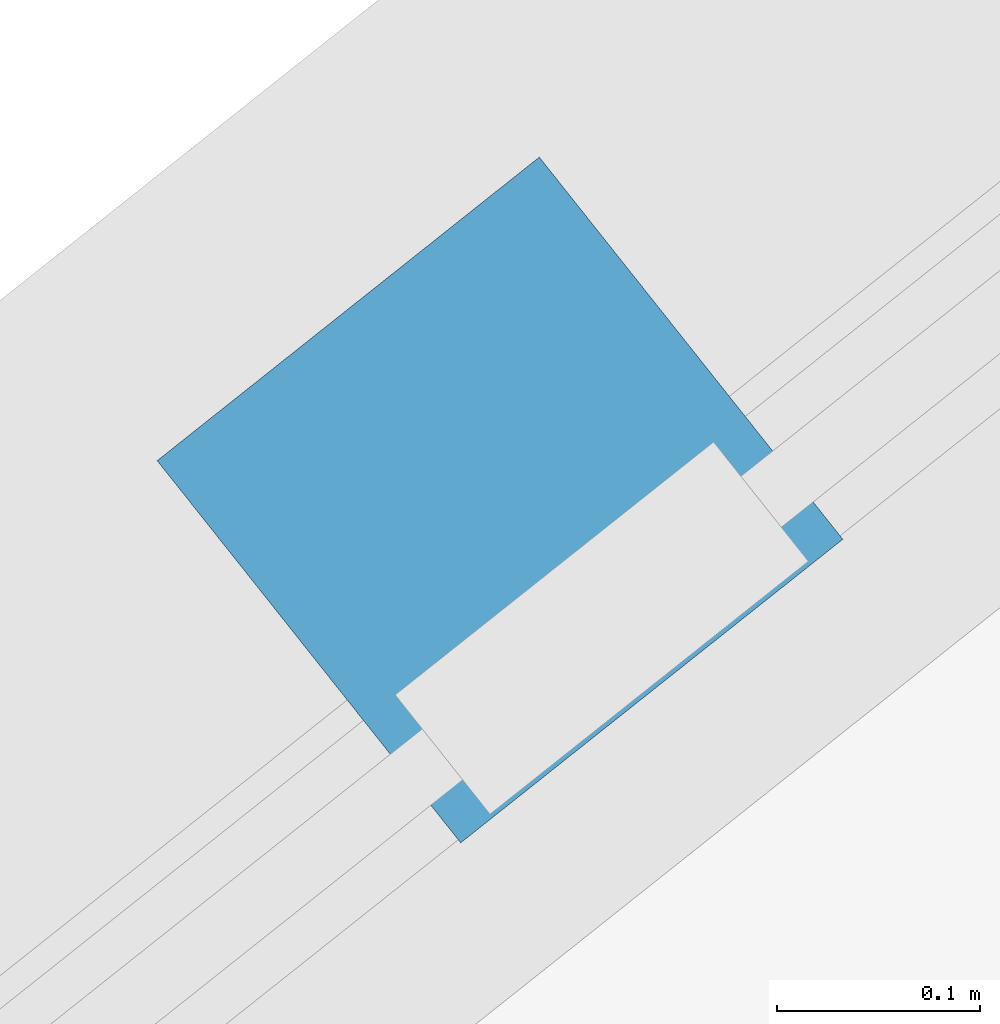
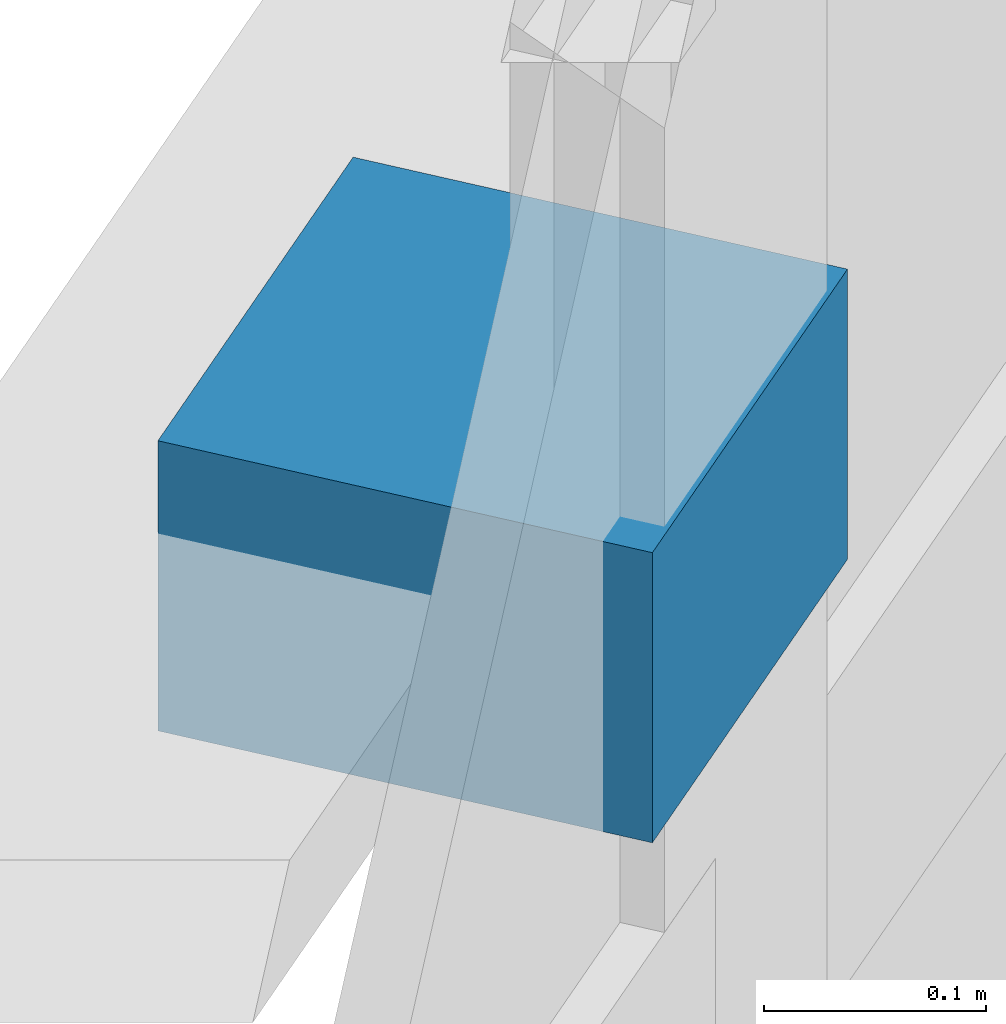
# One storey, part 104 of 114: 1 discrete accessory.
"""IFC4 building model written with IfcOpenShell, lengths in metres."""

from ifc_helpers import new_model, si_unit, direction, frame, origin, origin_2d, place, context, subcontext, project, spatial, rectangle, extrude, material, type_object, element, save


model = new_model("IFC4")

# Units and contexts
model_context = context("Model", 3, precision=1e-05, world=origin(), true_north=direction((0.0, 1.0)))
body_context = subcontext(model_context, "Body", "Model", "MODEL_VIEW")
ifc_project = project(units=[si_unit("LENGTHUNIT", "METRE"), si_unit("AREAUNIT", "SQUARE_METRE"), si_unit("VOLUMEUNIT", "CUBIC_METRE"), si_unit("PLANEANGLEUNIT", "RADIAN"), si_unit("MASSUNIT", "GRAM", prefix="KILO")], contexts=[model_context])

# Site, building, storey
site_placement = place(None, origin())
site = spatial("IfcSite", under=ifc_project, at=site_placement, CompositionType="ELEMENT")
building_placement = place(site_placement, origin())
building = spatial("IfcBuilding", under=site, at=building_placement, Name="Tameran Prism Museum", CompositionType="ELEMENT")
storey_placement = place(building_placement, frame((0.0, 0.0, 10.199951171875)))
storey = spatial("IfcBuildingStorey", under=building, at=storey_placement, Name="L02", CompositionType="ELEMENT", Elevation=10.199951171875)

# Discrete accessory
ifc_material = material(Name="Galvanized Steel Grade 350 (350 MPa)", Category="steel")
discrete_accessory_type = type_object("IfcDiscreteAccessoryType", Name="DA-BRK-STL", PredefinedType="BRACKET", material=ifc_material)
discrete_accessory_placement = place(storey_placement, frame((108.0, 107.81298828125, 3.09033203125), z_axis=(0.0, 0.0, 1.0), x_axis=(0.783042563302, 0.621968121415, 0.0)))
element("IfcDiscreteAccessory", 1, at=discrete_accessory_placement, inside=storey, type_object=discrete_accessory_type, Name="Facade Sunshade Bracket BK-041", PredefinedType="BRACKET", context=body_context, shape_type="SweptSolid", body=[
    extrude(rectangle(XDim=0.239990234375, YDim=0.239990234375, at=origin_2d()), origin(), (0.0, 0.0, 1.0), 0.159912109375),
])

save(model, "model.ifc")
